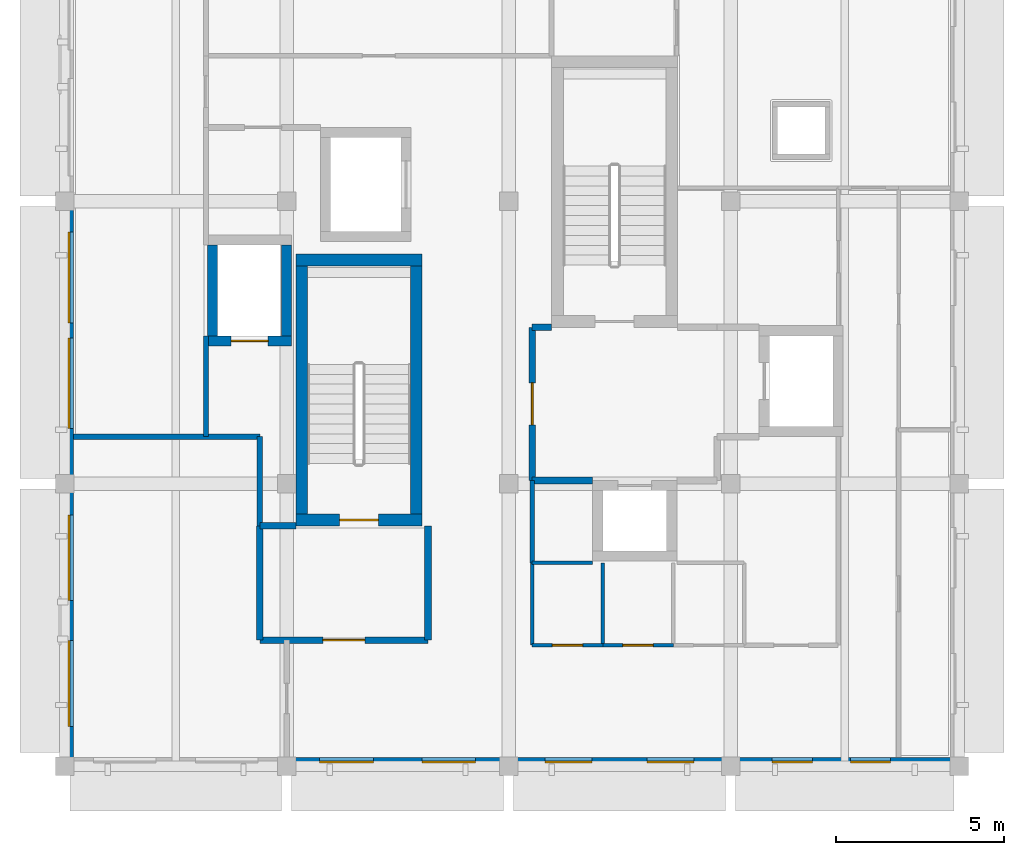
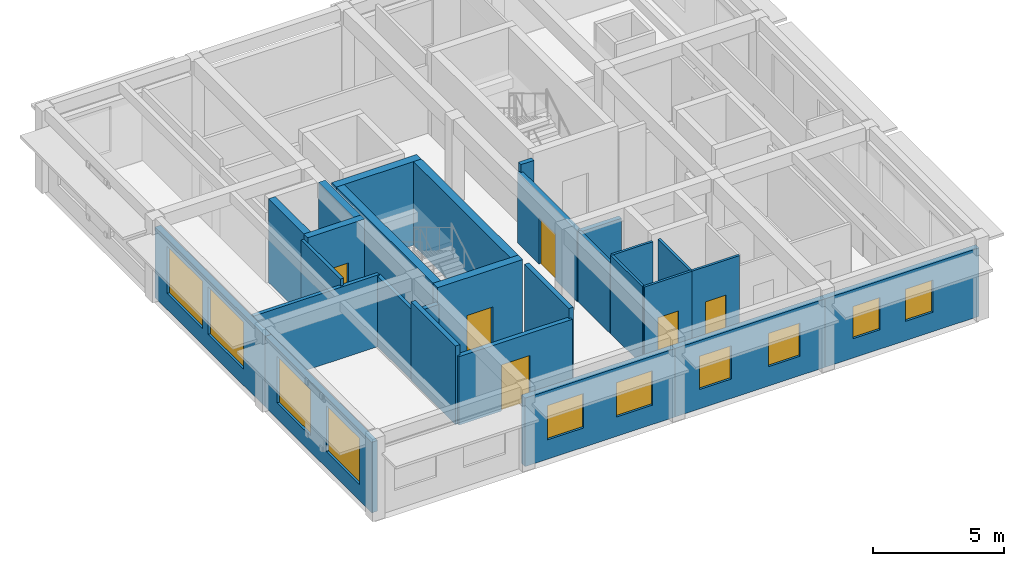
# One storey, part 2 of 7: 28 walls, 10 windows, 6 doors, 16 openings.
"""IFC4 building model written with IfcOpenShell, lengths in metres."""

from ifc_helpers import new_model, si_unit, direction, frame, frame_2d, origin, place, context, subcontext, project, spatial, rectangle, extrude, material, layer, layer_set, type_object, element, fill, save


model = new_model("IFC4")

# Units and contexts
model_context = context("Model", 3, precision=1e-05, world=origin(), true_north=direction((0.0, 1.0)))
body_context = subcontext(model_context, "Body", "Model", "MODEL_VIEW")
ifc_project = project(units=[si_unit("LENGTHUNIT", "METRE"), si_unit("AREAUNIT", "SQUARE_METRE"), si_unit("VOLUMEUNIT", "CUBIC_METRE"), si_unit("PLANEANGLEUNIT", "RADIAN"), si_unit("MASSUNIT", "GRAM", prefix="KILO")], contexts=[model_context])

# Site, building, storey
site_placement = place(None, origin())
site = spatial("IfcSite", under=ifc_project, at=site_placement, CompositionType="ELEMENT")
building_placement = place(site_placement, origin())
building = spatial("IfcBuilding", under=site, at=building_placement, Name="Kolvaren Faculty of Natural Sciences", CompositionType="ELEMENT")
storey_placement = place(building_placement, frame((0.0, 0.0, 40.5)))
storey = spatial("IfcBuildingStorey", under=building, at=storey_placement, Name="L09", CompositionType="ELEMENT", Elevation=40.5)

# Walls
ifc_material_1 = material(Name="Acoustic mineral-wool insulated gypsum partition")
ifc_layer_1 = layer(ifc_material_1, 0.159912109375)
ifc_layer_set_1 = layer_set([ifc_layer_1], Name="Acoustic mineral-wool insulated gypsum partition")
wall_type_1 = type_object("IfcWallType", Name="ClassroomPartitionWall_160", PredefinedType="PARTITIONING", material=ifc_layer_set_1)
wall_1_placement = place(storey_placement, frame((145.662109375, 68.800048828125, 0.0), z_axis=(0.0, 0.0, 1.0), x_axis=(1.0, 0.0, 0.0)))
element("IfcWall", 1, at=wall_1_placement, inside=storey, type_object=wall_type_1, Name="L09 interior partition PW-160", PredefinedType="PARTITIONING", context=body_context, shape_type="SweptSolid", body=[
    extrude(rectangle(XDim=5.537841796875, YDim=0.159912109375, at=frame_2d((2.76904296875, 0.0))), origin(), (0.0, 0.0, 1.0), 3.3349609375),
])
wall_2_placement = place(storey_placement, frame((151.199951171875, 68.800048828125, 0.0), z_axis=(0.0, 0.0, 1.0), x_axis=(0.0, -1.0, 0.0)))
element("IfcWall", 2, at=wall_2_placement, inside=storey, type_object=wall_type_1, Name="L09 interior partition PW-160", PredefinedType="PARTITIONING", context=body_context, shape_type="SweptSolid", body=[
    extrude(rectangle(XDim=2.650146484375, YDim=0.159912109375, at=frame_2d((1.3251953125, 0.0))), origin(), (0.0, 0.0, 1.0), 3.284912109375),
])
ifc_layer_2 = layer(ifc_material_1, 0.14501953125)
ifc_layer_set_2 = layer_set([ifc_layer_2], Name="Acoustic mineral-wool insulated gypsum partition")
wall_type_2 = type_object("IfcWallType", Name="CommonsPartitionWall_145", PredefinedType="PARTITIONING", material=ifc_layer_set_2)
wall_3_placement = place(storey_placement, frame((149.60009765625, 71.800048828125, 0.0), z_axis=(0.0, 0.0, 1.0), x_axis=(0.0, -1.0, 0.0)))
element("IfcWall", 3, at=wall_3_placement, inside=storey, type_object=wall_type_2, Name="L09 interior partition PW-145", PredefinedType="PARTITIONING", context=body_context, shape_type="SweptSolid", body=[
    extrude(rectangle(XDim=3.0, YDim=0.14501953125, at=frame_2d((1.5, 0.0))), origin(), (0.0, 0.0, 1.0), 3.655029296875),
])

# Wall, opening, door
ifc_material_2 = material(Name="Concrete C40/50", Category="concrete")
ifc_layer_3 = layer(ifc_material_2, 0.35009765625)
ifc_layer_set_3 = layer_set([ifc_layer_3], Name="Concrete C40/50")
wall_type_3 = type_object("IfcWallType", Name="CoreShearWall_350", PredefinedType="SHEAR", material=ifc_layer_set_3)
wall_4_placement = place(storey_placement, frame((152.27490234375, 66.324951171875, 0.0), z_axis=(0.0, 0.0, 1.0), x_axis=(1.0, 0.0, 0.0)))
wall_4 = element("IfcWall", 4, at=wall_4_placement, inside=storey, type_object=wall_type_3, Name="L09 CORE-C2 stair shear wall S", PredefinedType="SHEAR", context=body_context, shape_type="SweptSolid", body=[
    extrude(rectangle(XDim=3.75, YDim=0.35009765625, at=frame_2d((1.875, 0.0))), origin(), (0.0, 0.0, 1.0), 3.89990234375),
])
opening_1_placement = place(wall_4_placement, frame((1.300048828125, 0.0, 0.0)))
opening_1 = element("IfcOpeningElement", 5, at=opening_1_placement, cuts=wall_4, Name="Opening FD90", PredefinedType="OPENING", context=body_context, shape_type="SweptSolid", body=[
    extrude(rectangle(XDim=1.14990234375, YDim=2.14990234375, at=frame_2d((0.574951171875, 1.074951171875))), frame((0.0, 0.18505859375, 0.0), z_axis=(0.0, -1.0, 0.0), x_axis=(1.0, 0.0, 0.0)), (0.0, 0.0, 1.0), 0.3701171875),
])
ifc_material_3 = material(Name="Fire-rated solid-core hardwood door leaf in steel frame", Category="steel")
door_type_1 = type_object("IfcDoorType", Name="StairCoreFireDoor_1150x2150", OperationType="NOTDEFINED", PredefinedType="DOOR", material=ifc_material_3)
door_1_placement = place(opening_1_placement, origin())
door_1 = element("IfcDoor", 6, at=door_1_placement, inside=storey, type_object=door_type_1, Name="D-ST-ST-2-L09", OperationType="SINGLE_SWING_LEFT", OverallHeight=2.14990234375, OverallWidth=1.14990234375, PredefinedType="DOOR", context=body_context, shape_type="SweptSolid", body=[
    extrude(rectangle(XDim=1.14990234375, YDim=2.14990234375, at=frame_2d((0.574951171875, 1.074951171875))), frame((0.0, 0.02490234375, 0.0), z_axis=(0.0, -1.0, 0.0), x_axis=(1.0, 0.0, 0.0)), (0.0, 0.0, 1.0), 0.050048828125),
])
fill(opening_1, door_1)

# Walls
wall_5_placement = place(storey_placement, frame((152.27490234375, 74.050048828125, 0.0), z_axis=(0.0, 0.0, 1.0), x_axis=(1.0, 0.0, 0.0)))
element("IfcWall", 7, at=wall_5_placement, inside=storey, type_object=wall_type_3, Name="L09 CORE-C2 stair shear wall N", PredefinedType="SHEAR", context=body_context, shape_type="SweptSolid", body=[
    extrude(rectangle(XDim=3.75, YDim=0.35009765625, at=frame_2d((1.875, 0.0))), origin(), (0.0, 0.0, 1.0), 3.89990234375),
])
for number, where, z_axis, x_axis, name in (
    (8, (152.449951171875, 66.5, 0.0), (0.0, 0.0, 1.0), (0.0, 1.0, 0.0), "L09 CORE-C2 stair shear wall W"),
    (9, (155.85009765625, 66.5, 0.0), (0.0, 0.0, 1.0), (0.0, 1.0, 0.0), "L09 CORE-C2 stair shear wall E"),
):
    element("IfcWall", number, at=place(storey_placement, frame(where, z_axis=z_axis, x_axis=x_axis)), inside=storey, type_object=wall_type_3, Name=name, PredefinedType="SHEAR", context=body_context, shape_type="SweptSolid", body=[
        extrude(rectangle(XDim=7.375, YDim=0.35009765625, at=frame_2d((3.6875, 0.0))), origin(), (0.0, 0.0, 1.0), 3.89990234375),
    ])

# Wall, openings, windows
ifc_material_4 = material(Name="Precast concrete C35/45", Category="concrete")
ifc_layer_4 = layer(ifc_material_4, 0.260009765625)
ifc_layer_set_4 = layer_set([ifc_layer_4], Name="Precast concrete C35/45")
wall_type_4 = type_object("IfcWallType", Name="ExteriorPrecastWall_260", PredefinedType="STANDARD", material=ifc_layer_set_4)
wall_6_placement = place(storey_placement, frame((145.530029296875, 59.260009765625, 0.0), z_axis=(0.0, 0.0, 1.0), x_axis=(0.0, 1.0, 0.0)))
wall_6 = element("IfcWall", 10, at=wall_6_placement, inside=storey, type_object=wall_type_4, Name="L09 exterior masonry wall EW-260 (747)", PredefinedType="STANDARD", context=body_context, shape_type="SweptSolid", body=[
    extrude(rectangle(XDim=8.139892578125, YDim=0.260009765625, at=frame_2d((4.06982421875, 0.0))), origin(), (0.0, 0.0, 1.0), 3.284912109375),
])
opening_2_placement = place(wall_6_placement, frame((0.9228515625, 0.0, 0.75)))
opening_2 = element("IfcOpeningElement", 11, at=opening_2_placement, cuts=wall_6, Name="Opening WIN-10", PredefinedType="OPENING", context=body_context, shape_type="SweptSolid", body=[
    extrude(rectangle(XDim=2.550048828125, YDim=2.14990234375, at=frame_2d((1.27490234375, 1.074951171875))), frame((0.0, 0.139892578125, 0.0), z_axis=(0.0, -1.0, 0.0), x_axis=(1.0, 0.0, 0.0)), (0.0, 0.0, 1.0), 0.280029296875),
])
opening_3_placement = place(wall_6_placement, frame((4.667236328125, 0.0, 0.75)))
opening_3 = element("IfcOpeningElement", 12, at=opening_3_placement, cuts=wall_6, Name="Opening WIN-10", PredefinedType="OPENING", context=body_context, shape_type="SweptSolid", body=[
    extrude(rectangle(XDim=2.550048828125, YDim=2.14990234375, at=frame_2d((1.27490234375, 1.074951171875))), frame((0.0, 0.139892578125, 0.0), z_axis=(0.0, -1.0, 0.0), x_axis=(1.0, 0.0, 0.0)), (0.0, 0.0, 1.0), 0.280029296875),
])
ifc_material_5 = material(Name="Double low-E solar control insulated glazing", Category="glass")
window_type_1 = type_object("IfcWindowType", Name="AluWindow_WIN10_2550x2150", PartitioningType="SINGLE_PANEL", PredefinedType="WINDOW", material=ifc_material_5)
window_1_placement = place(opening_2_placement, origin())
window_1 = element("IfcWindow", 13, at=window_1_placement, inside=storey, type_object=window_type_1, Name="WIN-L09-0613", OverallHeight=2.14990234375, OverallWidth=2.550048828125, PartitioningType="SINGLE_PANEL", PredefinedType="WINDOW", context=body_context, shape_type="SweptSolid", body=[
    extrude(rectangle(XDim=2.550048828125, YDim=2.14990234375, at=frame_2d((1.27490234375, 1.074951171875))), frame((0.0, 0.030029296875, 0.0), z_axis=(0.0, -1.0, 0.0), x_axis=(1.0, 0.0, 0.0)), (0.0, 0.0, 1.0), 0.06005859375),
])
fill(opening_2, window_1)
window_2_placement = place(opening_3_placement, origin())
window_2 = element("IfcWindow", 14, at=window_2_placement, inside=storey, type_object=window_type_1, Name="WIN-L09-0614", OverallHeight=2.14990234375, OverallWidth=2.550048828125, PartitioningType="SINGLE_PANEL", PredefinedType="WINDOW", context=body_context, shape_type="SweptSolid", body=[
    extrude(rectangle(XDim=2.550048828125, YDim=2.14990234375, at=frame_2d((1.27490234375, 1.074951171875))), frame((0.0, 0.030029296875, 0.0), z_axis=(0.0, -1.0, 0.0), x_axis=(1.0, 0.0, 0.0)), (0.0, 0.0, 1.0), 0.06005859375),
])
fill(opening_3, window_2)

wall_7_placement = place(storey_placement, frame((145.530029296875, 67.39990234375, 0.0), z_axis=(0.0, 0.0, 1.0), x_axis=(0.0, 1.0, 0.0)))
wall_7 = element("IfcWall", 15, at=wall_7_placement, inside=storey, type_object=wall_type_4, Name="L09 exterior masonry wall EW-260 (748)", PredefinedType="STANDARD", context=body_context, shape_type="SweptSolid", body=[
    extrude(rectangle(XDim=8.400146484375, YDim=0.260009765625, at=frame_2d((4.2001953125, 0.0))), origin(), (0.0, 0.0, 1.0), 3.284912109375),
])
opening_4_placement = place(wall_7_placement, frame((1.639892578125, 0.0, 0.75)))
opening_4 = element("IfcOpeningElement", 16, at=opening_4_placement, cuts=wall_7, Name="Opening WIN-11", PredefinedType="OPENING", context=body_context, shape_type="SweptSolid", body=[
    extrude(rectangle(XDim=2.699951171875, YDim=2.199951171875, at=frame_2d((1.35009765625, 1.10009765625))), frame((0.0, 0.139892578125, 0.0), z_axis=(0.0, -1.0, 0.0), x_axis=(1.0, 0.0, 0.0)), (0.0, 0.0, 1.0), 0.280029296875),
])
opening_5_placement = place(wall_7_placement, frame((4.781982421875, 0.0, 0.75)))
opening_5 = element("IfcOpeningElement", 17, at=opening_5_placement, cuts=wall_7, Name="Opening WIN-11", PredefinedType="OPENING", context=body_context, shape_type="SweptSolid", body=[
    extrude(rectangle(XDim=2.699951171875, YDim=2.199951171875, at=frame_2d((1.35009765625, 1.10009765625))), frame((0.0, 0.139892578125, 0.0), z_axis=(0.0, -1.0, 0.0), x_axis=(1.0, 0.0, 0.0)), (0.0, 0.0, 1.0), 0.280029296875),
])
window_type_2 = type_object("IfcWindowType", Name="AluWindow_WIN11_2700x2200", PartitioningType="SINGLE_PANEL", PredefinedType="WINDOW", material=ifc_material_5)
window_3_placement = place(opening_4_placement, origin())
window_3 = element("IfcWindow", 18, at=window_3_placement, inside=storey, type_object=window_type_2, Name="WIN-L09-0615", OverallHeight=2.199951171875, OverallWidth=2.699951171875, PartitioningType="SINGLE_PANEL", PredefinedType="WINDOW", context=body_context, shape_type="SweptSolid", body=[
    extrude(rectangle(XDim=2.699951171875, YDim=2.199951171875, at=frame_2d((1.35009765625, 1.10009765625))), frame((0.0, 0.030029296875, 0.0), z_axis=(0.0, -1.0, 0.0), x_axis=(1.0, 0.0, 0.0)), (0.0, 0.0, 1.0), 0.06005859375),
])
fill(opening_4, window_3)
window_4_placement = place(opening_5_placement, origin())
window_4 = element("IfcWindow", 19, at=window_4_placement, inside=storey, type_object=window_type_2, Name="WIN-L09-0616", OverallHeight=2.199951171875, OverallWidth=2.699951171875, PartitioningType="SINGLE_PANEL", PredefinedType="WINDOW", context=body_context, shape_type="SweptSolid", body=[
    extrude(rectangle(XDim=2.699951171875, YDim=2.199951171875, at=frame_2d((1.35009765625, 1.10009765625))), frame((0.0, 0.030029296875, 0.0), z_axis=(0.0, -1.0, 0.0), x_axis=(1.0, 0.0, 0.0)), (0.0, 0.0, 1.0), 0.06005859375),
])
fill(opening_5, window_4)

wall_8_placement = place(storey_placement, frame((172.0, 59.1298828125, 0.0), z_axis=(0.0, 0.0, 1.0), x_axis=(-1.0, 0.0, 0.0)))
wall_8 = element("IfcWall", 20, at=wall_8_placement, inside=storey, type_object=wall_type_4, Name="L09 exterior masonry wall EW-260 (750)", PredefinedType="STANDARD", context=body_context, shape_type="SweptSolid", body=[
    extrude(rectangle(XDim=6.800048828125, YDim=0.260009765625, at=frame_2d((3.39990234375, 0.0))), origin(), (0.0, 0.0, 1.0), 3.18505859375),
])
opening_6_placement = place(wall_8_placement, frame((2.0400390625, 0.0, 0.89990234375)))
opening_6 = element("IfcOpeningElement", 21, at=opening_6_placement, cuts=wall_8, Name="Opening WIN-13", PredefinedType="OPENING", context=body_context, shape_type="SweptSolid", body=[
    extrude(rectangle(XDim=1.199951171875, YDim=1.5, at=frame_2d((0.60009765625, 0.75))), frame((0.0, 0.139892578125, 0.0), z_axis=(0.0, -1.0, 0.0), x_axis=(1.0, 0.0, 0.0)), (0.0, 0.0, 1.0), 0.280029296875),
])
opening_7_placement = place(wall_8_placement, frame((4.364013671875, 0.0, 0.89990234375)))
opening_7 = element("IfcOpeningElement", 22, at=opening_7_placement, cuts=wall_8, Name="Opening WIN-13", PredefinedType="OPENING", context=body_context, shape_type="SweptSolid", body=[
    extrude(rectangle(XDim=1.199951171875, YDim=1.5, at=frame_2d((0.60009765625, 0.75))), frame((0.0, 0.139892578125, 0.0), z_axis=(0.0, -1.0, 0.0), x_axis=(1.0, 0.0, 0.0)), (0.0, 0.0, 1.0), 0.280029296875),
])
window_type_3 = type_object("IfcWindowType", Name="AluWindow_WIN13_1200x1500", PartitioningType="SINGLE_PANEL", PredefinedType="WINDOW", material=ifc_material_5)
window_5_placement = place(opening_6_placement, origin())
window_5 = element("IfcWindow", 23, at=window_5_placement, inside=storey, type_object=window_type_3, Name="WIN-L09-0619", OverallHeight=1.5, OverallWidth=1.199951171875, PartitioningType="SINGLE_PANEL", PredefinedType="WINDOW", context=body_context, shape_type="SweptSolid", body=[
    extrude(rectangle(XDim=1.199951171875, YDim=1.5, at=frame_2d((0.60009765625, 0.75))), frame((0.0, 0.030029296875, 0.0), z_axis=(0.0, -1.0, 0.0), x_axis=(1.0, 0.0, 0.0)), (0.0, 0.0, 1.0), 0.06005859375),
])
fill(opening_6, window_5)
window_6_placement = place(opening_7_placement, origin())
window_6 = element("IfcWindow", 24, at=window_6_placement, inside=storey, type_object=window_type_3, Name="WIN-L09-0620", OverallHeight=1.5, OverallWidth=1.199951171875, PartitioningType="SINGLE_PANEL", PredefinedType="WINDOW", context=body_context, shape_type="SweptSolid", body=[
    extrude(rectangle(XDim=1.199951171875, YDim=1.5, at=frame_2d((0.60009765625, 0.75))), frame((0.0, 0.030029296875, 0.0), z_axis=(0.0, -1.0, 0.0), x_axis=(1.0, 0.0, 0.0)), (0.0, 0.0, 1.0), 0.06005859375),
])
fill(opening_7, window_6)

wall_9_placement = place(storey_placement, frame((165.199951171875, 59.1298828125, 0.0), z_axis=(0.0, 0.0, 1.0), x_axis=(-1.0, 0.0, 0.0)))
wall_9 = element("IfcWall", 25, at=wall_9_placement, inside=storey, type_object=wall_type_4, Name="L09 exterior masonry wall EW-260 (751)", PredefinedType="STANDARD", context=body_context, shape_type="SweptSolid", body=[
    extrude(rectangle(XDim=6.599853515625, YDim=0.260009765625, at=frame_2d((3.2998046875, 0.0))), origin(), (0.0, 0.0, 1.0), 3.18505859375),
])
opening_8_placement = place(wall_9_placement, frame((1.08203125, 0.0, 0.89990234375)))
opening_8 = element("IfcOpeningElement", 26, at=opening_8_placement, cuts=wall_9, Name="Opening WIN-14", PredefinedType="OPENING", context=body_context, shape_type="SweptSolid", body=[
    extrude(rectangle(XDim=1.39990234375, YDim=1.550048828125, at=frame_2d((0.699951171875, 0.77490234375))), frame((0.0, 0.139892578125, 0.0), z_axis=(0.0, -1.0, 0.0), x_axis=(1.0, 0.0, 0.0)), (0.0, 0.0, 1.0), 0.280029296875),
])
opening_9_placement = place(wall_9_placement, frame((4.117919921875, 0.0, 0.89990234375)))
opening_9 = element("IfcOpeningElement", 27, at=opening_9_placement, cuts=wall_9, Name="Opening WIN-14", PredefinedType="OPENING", context=body_context, shape_type="SweptSolid", body=[
    extrude(rectangle(XDim=1.39990234375, YDim=1.550048828125, at=frame_2d((0.699951171875, 0.77490234375))), frame((0.0, 0.139892578125, 0.0), z_axis=(0.0, -1.0, 0.0), x_axis=(1.0, 0.0, 0.0)), (0.0, 0.0, 1.0), 0.280029296875),
])
window_type_4 = type_object("IfcWindowType", Name="AluWindow_WIN14_1400x1550", PartitioningType="SINGLE_PANEL", PredefinedType="WINDOW", material=ifc_material_5)
window_7_placement = place(opening_8_placement, origin())
window_7 = element("IfcWindow", 28, at=window_7_placement, inside=storey, type_object=window_type_4, Name="WIN-L09-0621", OverallHeight=1.550048828125, OverallWidth=1.39990234375, PartitioningType="SINGLE_PANEL", PredefinedType="WINDOW", context=body_context, shape_type="SweptSolid", body=[
    extrude(rectangle(XDim=1.39990234375, YDim=1.550048828125, at=frame_2d((0.699951171875, 0.77490234375))), frame((0.0, 0.030029296875, 0.0), z_axis=(0.0, -1.0, 0.0), x_axis=(1.0, 0.0, 0.0)), (0.0, 0.0, 1.0), 0.06005859375),
])
fill(opening_8, window_7)
window_8_placement = place(opening_9_placement, origin())
window_8 = element("IfcWindow", 29, at=window_8_placement, inside=storey, type_object=window_type_4, Name="WIN-L09-0622", OverallHeight=1.550048828125, OverallWidth=1.39990234375, PartitioningType="SINGLE_PANEL", PredefinedType="WINDOW", context=body_context, shape_type="SweptSolid", body=[
    extrude(rectangle(XDim=1.39990234375, YDim=1.550048828125, at=frame_2d((0.699951171875, 0.77490234375))), frame((0.0, 0.030029296875, 0.0), z_axis=(0.0, -1.0, 0.0), x_axis=(1.0, 0.0, 0.0)), (0.0, 0.0, 1.0), 0.06005859375),
])
fill(opening_9, window_8)

wall_10_placement = place(storey_placement, frame((158.60009765625, 59.1298828125, 0.0), z_axis=(0.0, 0.0, 1.0), x_axis=(-1.0, 0.0, 0.0)))
wall_10 = element("IfcWall", 30, at=wall_10_placement, inside=storey, type_object=wall_type_4, Name="L09 exterior masonry wall EW-260 (752)", PredefinedType="STANDARD", context=body_context, shape_type="SweptSolid", body=[
    extrude(rectangle(XDim=6.60009765625, YDim=0.260009765625, at=frame_2d((3.300048828125, 0.0))), origin(), (0.0, 0.0, 1.0), 3.18505859375),
])
opening_10_placement = place(wall_10_placement, frame((0.98193359375, 0.0, 0.89990234375)))
opening_10 = element("IfcOpeningElement", 31, at=opening_10_placement, cuts=wall_10, Name="Opening WIN-15", PredefinedType="OPENING", context=body_context, shape_type="SweptSolid", body=[
    extrude(rectangle(XDim=1.60009765625, YDim=1.60009765625, at=frame_2d((0.800048828125, 0.800048828125))), frame((0.0, 0.139892578125, 0.0), z_axis=(0.0, -1.0, 0.0), x_axis=(1.0, 0.0, 0.0)), (0.0, 0.0, 1.0), 0.280029296875),
])
opening_11_placement = place(wall_10_placement, frame((4.01806640625, 0.0, 0.89990234375)))
opening_11 = element("IfcOpeningElement", 32, at=opening_11_placement, cuts=wall_10, Name="Opening WIN-15", PredefinedType="OPENING", context=body_context, shape_type="SweptSolid", body=[
    extrude(rectangle(XDim=1.60009765625, YDim=1.60009765625, at=frame_2d((0.800048828125, 0.800048828125))), frame((0.0, 0.139892578125, 0.0), z_axis=(0.0, -1.0, 0.0), x_axis=(1.0, 0.0, 0.0)), (0.0, 0.0, 1.0), 0.280029296875),
])
window_type_5 = type_object("IfcWindowType", Name="AluWindow_WIN15_1600x1600", PartitioningType="SINGLE_PANEL", PredefinedType="WINDOW", material=ifc_material_5)
window_9_placement = place(opening_10_placement, origin())
window_9 = element("IfcWindow", 33, at=window_9_placement, inside=storey, type_object=window_type_5, Name="WIN-L09-0623", OverallHeight=1.60009765625, OverallWidth=1.60009765625, PartitioningType="SINGLE_PANEL", PredefinedType="WINDOW", context=body_context, shape_type="SweptSolid", body=[
    extrude(rectangle(XDim=1.60009765625, YDim=1.60009765625, at=frame_2d((0.800048828125, 0.800048828125))), frame((0.0, 0.030029296875, 0.0), z_axis=(0.0, -1.0, 0.0), x_axis=(1.0, 0.0, 0.0)), (0.0, 0.0, 1.0), 0.06005859375),
])
fill(opening_10, window_9)
window_10_placement = place(opening_11_placement, origin())
window_10 = element("IfcWindow", 34, at=window_10_placement, inside=storey, type_object=window_type_5, Name="WIN-L09-0624", OverallHeight=1.60009765625, OverallWidth=1.60009765625, PartitioningType="SINGLE_PANEL", PredefinedType="WINDOW", context=body_context, shape_type="SweptSolid", body=[
    extrude(rectangle(XDim=1.60009765625, YDim=1.60009765625, at=frame_2d((0.800048828125, 0.800048828125))), frame((0.0, 0.030029296875, 0.0), z_axis=(0.0, -1.0, 0.0), x_axis=(1.0, 0.0, 0.0)), (0.0, 0.0, 1.0), 0.06005859375),
])
fill(opening_11, window_10)

# Walls
ifc_material_6 = material(Name="Autoclaved aerated fire-rated masonry blockwork", Category="masonry")
ifc_layer_5 = layer(ifc_material_6, 0.199951171875)
ifc_layer_set_5 = layer_set([ifc_layer_5], Name="Autoclaved aerated fire-rated masonry blockwork")
wall_type_5 = type_object("IfcWallType", Name="FireLobbyWall_200", PredefinedType="PARTITIONING", material=ifc_layer_set_5)
wall_11_placement = place(storey_placement, frame((159.300048828125, 72.050048828125, 0.0), z_axis=(0.0, 0.0, 1.0), x_axis=(1.0, 0.0, 0.0)))
element("IfcWall", 35, at=wall_11_placement, inside=storey, type_object=wall_type_5, Name="L09 interior partition FW-200", PredefinedType="PARTITIONING", context=body_context, shape_type="SweptSolid", body=[
    extrude(rectangle(XDim=0.574951171875, YDim=0.199951171875, at=frame_2d((0.28759765625, 0.0))), origin(), (0.0, 0.0, 1.0), 3.655029296875),
])
wall_12_placement = place(storey_placement, frame((161.10009765625, 67.5, 0.0), z_axis=(0.0, 0.0, 1.0), x_axis=(-1.0, 0.0, 0.0)))
element("IfcWall", 36, at=wall_12_placement, inside=storey, type_object=wall_type_5, Name="L09 interior partition FW-200", PredefinedType="PARTITIONING", context=body_context, shape_type="SweptSolid", body=[
    extrude(rectangle(XDim=1.800048828125, YDim=0.199951171875, at=frame_2d((0.89990234375, 0.0))), origin(), (0.0, 0.0, 1.0), 3.284912109375),
])

# Wall, opening, door
wall_13_placement = place(storey_placement, frame((159.300048828125, 67.5, 0.0), z_axis=(0.0, 0.0, 1.0), x_axis=(0.0, 1.0, 0.0)))
wall_13 = element("IfcWall", 37, at=wall_13_placement, inside=storey, type_object=wall_type_5, Name="L09 interior partition FW-200", PredefinedType="PARTITIONING", context=body_context, shape_type="SweptSolid", body=[
    extrude(rectangle(XDim=4.550048828125, YDim=0.199951171875, at=frame_2d((2.27490234375, 0.0))), origin(), (0.0, 0.0, 1.0), 3.284912109375),
])
opening_12_placement = place(wall_13_placement, frame((1.64990234375, 0.0, 0.0)))
opening_12 = element("IfcOpeningElement", 38, at=opening_12_placement, cuts=wall_13, Name="Opening FD60", PredefinedType="OPENING", context=body_context, shape_type="SweptSolid", body=[
    extrude(rectangle(XDim=1.25, YDim=2.14990234375, at=frame_2d((0.625, 1.074951171875))), frame((0.0, 0.10986328125, 0.0), z_axis=(0.0, -1.0, 0.0), x_axis=(1.0, 0.0, 0.0)), (0.0, 0.0, 1.0), 0.219970703125),
])
door_type_2 = type_object("IfcDoorType", Name="RescueLobbyFireDoor_1250x2150", OperationType="NOTDEFINED", PredefinedType="DOOR", material=ifc_material_3)
door_2_placement = place(opening_12_placement, origin())
door_2 = element("IfcDoor", 39, at=door_2_placement, inside=storey, type_object=door_type_2, Name="D-L09-0380", OperationType="SINGLE_SWING_LEFT", OverallHeight=2.14990234375, OverallWidth=1.25, PredefinedType="DOOR", context=body_context, shape_type="SweptSolid", body=[
    extrude(rectangle(XDim=1.25, YDim=2.14990234375, at=frame_2d((0.625, 1.074951171875))), frame((0.0, 0.02490234375, 0.0), z_axis=(0.0, -1.0, 0.0), x_axis=(1.0, 0.0, 0.0)), (0.0, 0.0, 1.0), 0.050048828125),
])
fill(opening_12, door_2)

# Walls
wall_14_placement = place(storey_placement, frame((151.199951171875, 66.14990234375, 0.0), z_axis=(0.0, 0.0, 1.0), x_axis=(1.0, 0.0, 0.0)))
element("IfcWall", 40, at=wall_14_placement, inside=storey, type_object=wall_type_5, Name="L09 interior partition FW-200", PredefinedType="PARTITIONING", context=body_context, shape_type="SweptSolid", body=[
    extrude(rectangle(XDim=1.074951171875, YDim=0.199951171875, at=frame_2d((0.53759765625, 0.0))), origin(), (0.0, 0.0, 1.0), 3.18505859375),
])
wall_15_placement = place(storey_placement, frame((156.199951171875, 66.14990234375, 0.0), z_axis=(0.0, 0.0, 1.0), x_axis=(0.0, -1.0, 0.0)))
element("IfcWall", 41, at=wall_15_placement, inside=storey, type_object=wall_type_5, Name="L09 interior partition FW-200", PredefinedType="PARTITIONING", context=body_context, shape_type="SweptSolid", body=[
    extrude(rectangle(XDim=3.39990234375, YDim=0.199951171875, at=frame_2d((1.699951171875, 0.0))), origin(), (0.0, 0.0, 1.0), 3.655029296875),
])

# Wall, opening, door
wall_16_placement = place(storey_placement, frame((156.199951171875, 62.75, 0.0), z_axis=(0.0, 0.0, 1.0), x_axis=(-1.0, 0.0, 0.0)))
wall_16 = element("IfcWall", 42, at=wall_16_placement, inside=storey, type_object=wall_type_5, Name="L09 interior partition FW-200", PredefinedType="PARTITIONING", context=body_context, shape_type="SweptSolid", body=[
    extrude(rectangle(XDim=5.0, YDim=0.199951171875, at=frame_2d((2.5, 0.0))), origin(), (0.0, 0.0, 1.0), 3.18505859375),
])
opening_13_placement = place(wall_16_placement, frame((1.875, 0.0, 0.0)))
opening_13 = element("IfcOpeningElement", 43, at=opening_13_placement, cuts=wall_16, Name="Opening FD60", PredefinedType="OPENING", context=body_context, shape_type="SweptSolid", body=[
    extrude(rectangle(XDim=1.25, YDim=2.14990234375, at=frame_2d((0.625, 1.074951171875))), frame((0.0, 0.10986328125, 0.0), z_axis=(0.0, -1.0, 0.0), x_axis=(1.0, 0.0, 0.0)), (0.0, 0.0, 1.0), 0.219970703125),
])
door_3_placement = place(opening_13_placement, origin())
door_3 = element("IfcDoor", 44, at=door_3_placement, inside=storey, type_object=door_type_2, Name="D-L09-0381", OperationType="SINGLE_SWING_RIGHT", OverallHeight=2.14990234375, OverallWidth=1.25, PredefinedType="DOOR", context=body_context, shape_type="SweptSolid", body=[
    extrude(rectangle(XDim=1.25, YDim=2.14990234375, at=frame_2d((0.625, 1.074951171875))), frame((0.0, 0.02490234375, 0.0), z_axis=(0.0, -1.0, 0.0), x_axis=(1.0, 0.0, 0.0)), (0.0, 0.0, 1.0), 0.050048828125),
])
fill(opening_13, door_3)

# Walls
wall_17_placement = place(storey_placement, frame((151.199951171875, 62.75, 0.0), z_axis=(0.0, 0.0, 1.0), x_axis=(0.0, 1.0, 0.0)))
element("IfcWall", 45, at=wall_17_placement, inside=storey, type_object=wall_type_5, Name="L09 interior partition FW-200", PredefinedType="PARTITIONING", context=body_context, shape_type="SweptSolid", body=[
    extrude(rectangle(XDim=3.39990234375, YDim=0.199951171875, at=frame_2d((1.699951171875, 0.0))), origin(), (0.0, 0.0, 1.0), 3.655029296875),
])
ifc_layer_6 = layer(ifc_material_1, 0.1298828125)
ifc_layer_set_6 = layer_set([ifc_layer_6], Name="Acoustic mineral-wool insulated gypsum partition")
wall_type_6 = type_object("IfcWallType", Name="OfficePartitionWall_130", PredefinedType="PARTITIONING", material=ifc_layer_set_6)
wall_18_placement = place(storey_placement, frame((159.300048828125, 65.050048828125, 0.0), z_axis=(0.0, 0.0, 1.0), x_axis=(0.0, 1.0, 0.0)))
element("IfcWall", 46, at=wall_18_placement, inside=storey, type_object=wall_type_6, Name="L09 interior partition PW-130", PredefinedType="PARTITIONING", context=body_context, shape_type="SweptSolid", body=[
    extrude(rectangle(XDim=2.449951171875, YDim=0.1298828125, at=frame_2d((1.22509765625, 0.0))), origin(), (0.0, 0.0, 1.0), 3.284912109375),
])

# Wall, opening, door
ifc_layer_7 = layer(ifc_material_2, 0.300048828125)
ifc_layer_set_7 = layer_set([ifc_layer_7], Name="Concrete C40/50")
wall_type_7 = type_object("IfcWallType", Name="ShaftShearWall_300", PredefinedType="SHEAR", material=ifc_layer_set_7)
wall_19_placement = place(storey_placement, frame((149.64990234375, 71.64990234375, 0.0), z_axis=(0.0, 0.0, 1.0), x_axis=(1.0, 0.0, 0.0)))
wall_19 = element("IfcWall", 47, at=wall_19_placement, inside=storey, type_object=wall_type_7, Name="L09 lift FL-2 shaft wall S", PredefinedType="SHEAR", context=body_context, shape_type="SweptSolid", body=[
    extrude(rectangle(XDim=2.5, YDim=0.300048828125, at=frame_2d((1.25, 0.0))), origin(), (0.0, 0.0, 1.0), 3.89990234375),
])
opening_14_placement = place(wall_19_placement, frame((0.699951171875, 0.0, 0.0)))
opening_14 = element("IfcOpeningElement", 48, at=opening_14_placement, cuts=wall_19, Name="Opening LD-01", PredefinedType="OPENING", context=body_context, shape_type="SweptSolid", body=[
    extrude(rectangle(XDim=1.10009765625, YDim=2.10009765625, at=frame_2d((0.550048828125, 1.050048828125))), frame((0.0, 0.159912109375, 0.0), z_axis=(0.0, -1.0, 0.0), x_axis=(1.0, 0.0, 0.0)), (0.0, 0.0, 1.0), 0.320068359375),
])
ifc_material_7 = material(Name="Brushed stainless steel lift car and sliding door assembly", Category="steel")
door_type_3 = type_object("IfcDoorType", Name="LiftLandingSliding_1100x2100", OperationType="DOUBLE_DOOR_SLIDING", PredefinedType="DOOR", material=ifc_material_7)
door_4_placement = place(opening_14_placement, origin())
door_4 = element("IfcDoor", 49, at=door_4_placement, inside=storey, type_object=door_type_3, Name="D-LIFT-FL-2-L09", OperationType="DOUBLE_DOOR_SLIDING", OverallHeight=2.10009765625, OverallWidth=1.10009765625, PredefinedType="DOOR", context=body_context, shape_type="SweptSolid", body=[
    extrude(rectangle(XDim=1.10009765625, YDim=2.10009765625, at=frame_2d((0.550048828125, 1.050048828125))), frame((0.0, 0.02490234375, 0.0), z_axis=(0.0, -1.0, 0.0), x_axis=(1.0, 0.0, 0.0)), (0.0, 0.0, 1.0), 0.050048828125),
])
fill(opening_14, door_4)

# Walls
for number, where, z_axis, x_axis, name in (
    (50, (149.800048828125, 71.800048828125, 0.0), (0.0, 0.0, 1.0), (0.0, 1.0, 0.0), "L09 lift FL-2 shaft wall W"),
    (51, (152.0, 71.800048828125, 0.0), (0.0, 0.0, 1.0), (0.0, 1.0, 0.0), "L09 lift FL-2 shaft wall E"),
):
    element("IfcWall", number, at=place(storey_placement, frame(where, z_axis=z_axis, x_axis=x_axis)), inside=storey, type_object=wall_type_7, Name=name, PredefinedType="SHEAR", context=body_context, shape_type="SweptSolid", body=[
        extrude(rectangle(XDim=2.699951171875, YDim=0.300048828125, at=frame_2d((1.35009765625, 0.0))), origin(), (0.0, 0.0, 1.0), 3.89990234375),
    ])
ifc_layer_8 = layer(ifc_material_1, 0.10498046875)
ifc_layer_set_8 = layer_set([ifc_layer_8], Name="Acoustic mineral-wool insulated gypsum partition")
wall_type_8 = type_object("IfcWallType", Name="WetRoomPartition_105", PredefinedType="PARTITIONING", material=ifc_layer_set_8)
wall_20_placement = place(storey_placement, frame((159.300048828125, 65.050048828125, 0.0), z_axis=(0.0, 0.0, 1.0), x_axis=(1.0, 0.0, 0.0)))
element("IfcWall", 52, at=wall_20_placement, inside=storey, type_object=wall_type_8, Name="L09 interior partition PW-105", PredefinedType="PARTITIONING", context=body_context, shape_type="SweptSolid", body=[
    extrude(rectangle(XDim=1.800048828125, YDim=0.10498046875, at=frame_2d((0.89990234375, 0.0))), origin(), (0.0, 0.0, 1.0), 3.655029296875),
])
wall_21_placement = place(storey_placement, frame((161.39990234375, 65.050048828125, 0.0), z_axis=(0.0, 0.0, 1.0), x_axis=(0.0, -1.0, 0.0)))
element("IfcWall", 53, at=wall_21_placement, inside=storey, type_object=wall_type_8, Name="L09 interior partition PW-105", PredefinedType="PARTITIONING", context=body_context, shape_type="SweptSolid", body=[
    extrude(rectangle(XDim=2.449951171875, YDim=0.10498046875, at=frame_2d((1.22509765625, 0.0))), origin(), (0.0, 0.0, 1.0), 3.655029296875),
])

# Wall, opening, door
wall_22_placement = place(storey_placement, frame((161.39990234375, 62.60009765625, 0.0), z_axis=(0.0, 0.0, 1.0), x_axis=(-1.0, 0.0, 0.0)))
wall_22 = element("IfcWall", 54, at=wall_22_placement, inside=storey, type_object=wall_type_8, Name="L09 interior partition PW-105", PredefinedType="PARTITIONING", context=body_context, shape_type="SweptSolid", body=[
    extrude(rectangle(XDim=2.099853515625, YDim=0.10498046875, at=frame_2d((1.0498046875, 0.0))), origin(), (0.0, 0.0, 1.0), 3.655029296875),
])
opening_15_placement = place(wall_22_placement, frame((0.60009765625, 0.0, 0.0)))
opening_15 = element("IfcOpeningElement", 55, at=opening_15_placement, cuts=wall_22, Name="Opening ID-01", PredefinedType="OPENING", context=body_context, shape_type="SweptSolid", body=[
    extrude(rectangle(XDim=0.89990234375, YDim=2.02001953125, at=frame_2d((0.449951171875, 1.010009765625))), frame((0.0, 0.0625, 0.0), z_axis=(0.0, -1.0, 0.0), x_axis=(1.0, 0.0, 0.0)), (0.0, 0.0, 1.0), 0.125),
])
ifc_material_8 = material(Name="Solid-core hardwood veneer door leaf in steel frame", Category="steel")
door_type_4 = type_object("IfcDoorType", Name="InteriorRoomDoor_900x2020", OperationType="NOTDEFINED", PredefinedType="DOOR", material=ifc_material_8)
door_5_placement = place(opening_15_placement, origin())
door_5 = element("IfcDoor", 56, at=door_5_placement, inside=storey, type_object=door_type_4, Name="D-L09-0382", OperationType="SINGLE_SWING_LEFT", OverallHeight=2.02001953125, OverallWidth=0.89990234375, PredefinedType="DOOR", context=body_context, shape_type="SweptSolid", body=[
    extrude(rectangle(XDim=0.89990234375, YDim=2.02001953125, at=frame_2d((0.449951171875, 1.010009765625))), frame((0.0, 0.02490234375, 0.0), z_axis=(0.0, -1.0, 0.0), x_axis=(1.0, 0.0, 0.0)), (0.0, 0.0, 1.0), 0.050048828125),
])
fill(opening_15, door_5)

# Wall
wall_23_placement = place(storey_placement, frame((159.300048828125, 62.60009765625, 0.0), z_axis=(0.0, 0.0, 1.0), x_axis=(0.0, 1.0, 0.0)))
element("IfcWall", 57, at=wall_23_placement, inside=storey, type_object=wall_type_8, Name="L09 interior partition PW-105", PredefinedType="PARTITIONING", context=body_context, shape_type="SweptSolid", body=[
    extrude(rectangle(XDim=2.449951171875, YDim=0.10498046875, at=frame_2d((1.22509765625, 0.0))), origin(), (0.0, 0.0, 1.0), 3.655029296875),
])

# Wall, opening, door
wall_24_placement = place(storey_placement, frame((163.5, 62.60009765625, 0.0), z_axis=(0.0, 0.0, 1.0), x_axis=(-1.0, 0.0, 0.0)))
wall_24 = element("IfcWall", 58, at=wall_24_placement, inside=storey, type_object=wall_type_8, Name="L09 interior partition PW-105", PredefinedType="PARTITIONING", context=body_context, shape_type="SweptSolid", body=[
    extrude(rectangle(XDim=2.10009765625, YDim=0.10498046875, at=frame_2d((1.050048828125, 0.0))), origin(), (0.0, 0.0, 1.0), 3.655029296875),
])
opening_16_placement = place(wall_24_placement, frame((0.60009765625, 0.0, 0.0)))
opening_16 = element("IfcOpeningElement", 59, at=opening_16_placement, cuts=wall_24, Name="Opening ID-01", PredefinedType="OPENING", context=body_context, shape_type="SweptSolid", body=[
    extrude(rectangle(XDim=0.89990234375, YDim=2.02001953125, at=frame_2d((0.449951171875, 1.010009765625))), frame((0.0, 0.0625, 0.0), z_axis=(0.0, -1.0, 0.0), x_axis=(1.0, 0.0, 0.0)), (0.0, 0.0, 1.0), 0.125),
])
door_6_placement = place(opening_16_placement, origin())
door_6 = element("IfcDoor", 60, at=door_6_placement, inside=storey, type_object=door_type_4, Name="D-L09-0383", OperationType="SINGLE_SWING_RIGHT", OverallHeight=2.02001953125, OverallWidth=0.89990234375, PredefinedType="DOOR", context=body_context, shape_type="SweptSolid", body=[
    extrude(rectangle(XDim=0.89990234375, YDim=2.02001953125, at=frame_2d((0.449951171875, 1.010009765625))), frame((0.0, 0.02490234375, 0.0), z_axis=(0.0, -1.0, 0.0), x_axis=(1.0, 0.0, 0.0)), (0.0, 0.0, 1.0), 0.050048828125),
])
fill(opening_16, door_6)

save(model, "model.ifc")
